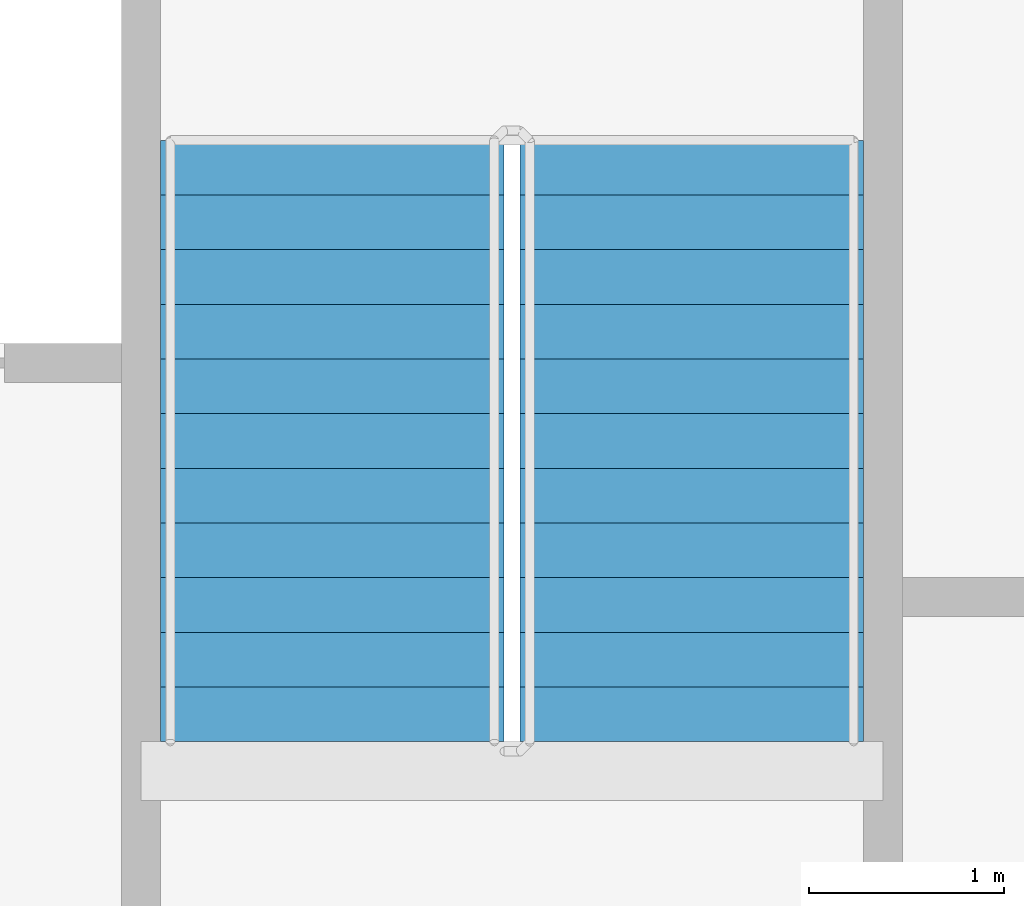
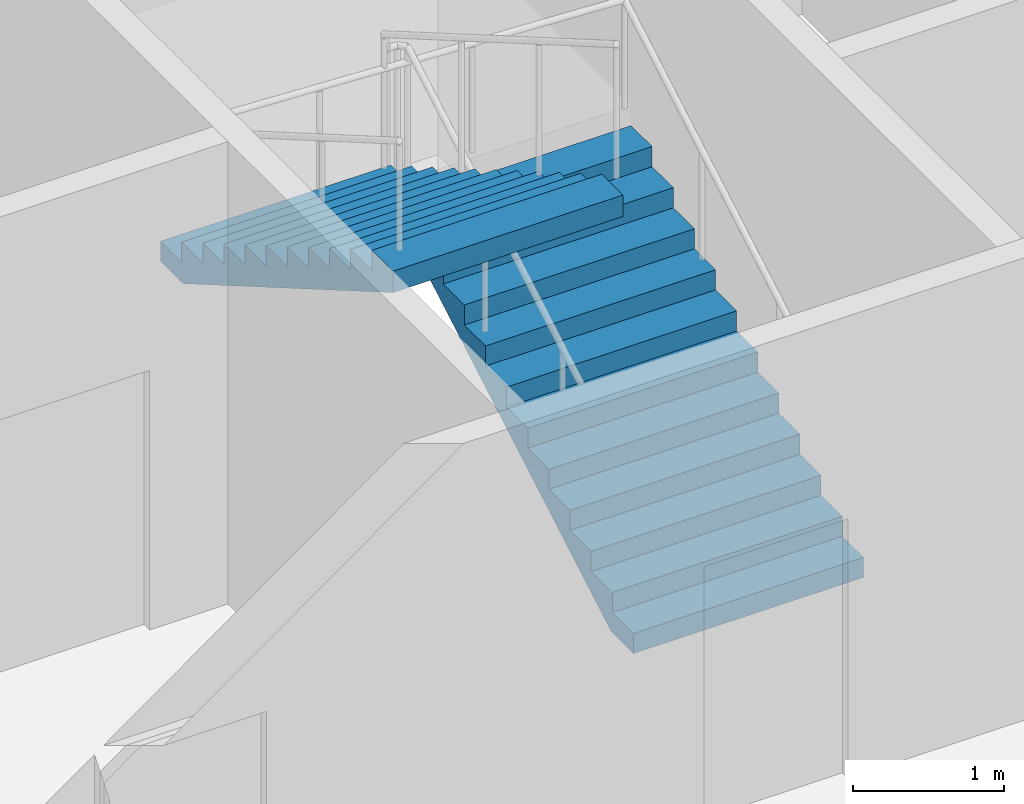
# One storey, part 15 of 21: 2 stair flights, 1 element without a shape of its own.
"""IFC4 building model written with IfcOpenShell, lengths in metres."""

from ifc_helpers import new_model, si_unit, direction, frame, origin, place, context, subcontext, project, spatial, faceted_brep, material, type_object, element, aggregate, save


model = new_model("IFC4")

# Units and contexts
model_context = context("Model", 3, precision=1e-05, world=origin(), true_north=direction((0.0, 1.0)))
body_context = subcontext(model_context, "Body", "Model", "MODEL_VIEW")
ifc_project = project(units=[si_unit("LENGTHUNIT", "METRE"), si_unit("AREAUNIT", "SQUARE_METRE"), si_unit("VOLUMEUNIT", "CUBIC_METRE"), si_unit("PLANEANGLEUNIT", "RADIAN"), si_unit("MASSUNIT", "GRAM", prefix="KILO")], contexts=[model_context])

# Site, building, storey
site_placement = place(None, origin())
site = spatial("IfcSite", under=ifc_project, at=site_placement, CompositionType="ELEMENT")
building_placement = place(site_placement, origin())
building = spatial("IfcBuilding", under=site, at=building_placement, Name="Tarsis Ring Headquarters", CompositionType="ELEMENT")
storey_placement = place(building_placement, frame((0.0, 0.0, 100.60009765625)))
storey = spatial("IfcBuildingStorey", under=building, at=storey_placement, Name="L22", CompositionType="ELEMENT", Elevation=100.60009765625)

# Stair, stair flights
ifc_material_1 = material(Name="Core stair 1760")
stair_type = type_object("IfcStairType", Name="Core stair 1760", PredefinedType="HALF_TURN_STAIR", material=ifc_material_1)
stair_placement = place(storey_placement, origin())
stair = element("IfcStair", 1, at=stair_placement, inside=storey, type_object=stair_type, Name="L22 Exit stair B", PredefinedType="HALF_TURN_STAIR")
ifc_material_2 = material(Name="Concrete C40/50", Category="concrete")
stair_flight_type = type_object("IfcStairFlightType", Name="Core stair flight 1760", PredefinedType="STRAIGHT", material=ifc_material_2)
stair_flight_1_placement = place(storey_placement, frame((5.419921875, 3.659912109375, 0.0), z_axis=(0.0, 0.0, 1.0), x_axis=(0.0, 1.0, 0.0)))
stair_flight_1 = element("IfcStairFlight", 2, at=stair_flight_1_placement, type_object=stair_flight_type, Name="Stair ST2 flight 1", NumberOfRisers=12, NumberOfTreads=11, PredefinedType="STRAIGHT", RiserHeight=0.1625, TreadLength=0.28, context=body_context, shape_type="Brep", body=[
    faceted_brep([(0.0, 0.8798828125, 0.0), (0.0, 0.8798828125, 0.16259765625), (0.280029296875, 0.8798828125, 0.16259765625), (0.280029296875, 0.8798828125, 0.324951171875), (0.56005859375, 0.8798828125, 0.324951171875), (0.56005859375, 0.8798828125, 0.487548828125), (0.840087890625, 0.8798828125, 0.487548828125), (0.840087890625, 0.8798828125, 0.64990234375), (1.1201171875, 0.8798828125, 0.64990234375), (1.1201171875, 0.8798828125, 0.8125), (1.39990234375, 0.8798828125, 0.8125), (1.39990234375, 0.8798828125, 0.97509765625), (1.679931640625, 0.8798828125, 0.97509765625), (1.679931640625, 0.8798828125, 1.137451171875), (1.9599609375, 0.8798828125, 1.137451171875), (1.9599609375, 0.8798828125, 1.300048828125), (2.239990234375, 0.8798828125, 1.300048828125), (2.239990234375, 0.8798828125, 1.46240234375), (2.52001953125, 0.8798828125, 1.46240234375), (2.52001953125, 0.8798828125, 1.625), (2.800048828125, 0.8798828125, 1.625), (2.800048828125, 0.8798828125, 1.78759765625), (3.080078125, 0.8798828125, 1.78759765625), (3.080078125, 0.8798828125, 1.6142578125), (0.298583984375, 0.8798828125, 0.0), (0.298583984375, -0.8798828125, 0.0), (3.080078125, -0.8798828125, 1.6142578125), (3.080078125, -0.8798828125, 1.78759765625), (2.800048828125, -0.8798828125, 1.78759765625), (2.800048828125, -0.8798828125, 1.625), (2.52001953125, -0.8798828125, 1.625), (2.52001953125, -0.8798828125, 1.46240234375), (2.239990234375, -0.8798828125, 1.46240234375), (2.239990234375, -0.8798828125, 1.300048828125), (1.9599609375, -0.8798828125, 1.300048828125), (1.9599609375, -0.8798828125, 1.137451171875), (1.679931640625, -0.8798828125, 1.137451171875), (1.679931640625, -0.8798828125, 0.97509765625), (1.39990234375, -0.8798828125, 0.97509765625), (1.39990234375, -0.8798828125, 0.8125), (1.1201171875, -0.8798828125, 0.8125), (1.1201171875, -0.8798828125, 0.64990234375), (0.840087890625, -0.8798828125, 0.64990234375), (0.840087890625, -0.8798828125, 0.487548828125), (0.56005859375, -0.8798828125, 0.487548828125), (0.56005859375, -0.8798828125, 0.324951171875), (0.280029296875, -0.8798828125, 0.324951171875), (0.280029296875, -0.8798828125, 0.16259765625), (0.0, -0.8798828125, 0.16259765625), (0.0, -0.8798828125, 0.0), (0.0, -0.43994140625, 0.16259765625), (0.0, -0.43994140625, 0.0), (0.0, 0.0, 0.16259765625), (0.0, 0.0, 0.0), (0.0, 0.43994140625, 0.16259765625), (0.0, 0.43994140625, 0.0), (0.280029296875, -0.43994140625, 0.16259765625), (0.280029296875, 0.0, 0.16259765625), (0.280029296875, 0.43994140625, 0.16259765625), (0.280029296875, -0.43994140625, 0.324951171875), (0.280029296875, 0.0, 0.324951171875), (0.280029296875, 0.43994140625, 0.324951171875), (0.56005859375, -0.43994140625, 0.324951171875), (0.56005859375, 0.0, 0.324951171875), (0.56005859375, 0.43994140625, 0.324951171875), (0.56005859375, -0.43994140625, 0.487548828125), (0.56005859375, 0.0, 0.487548828125), (0.56005859375, 0.43994140625, 0.487548828125), (0.840087890625, -0.43994140625, 0.487548828125), (0.840087890625, 0.0, 0.487548828125), (0.840087890625, 0.43994140625, 0.487548828125), (0.840087890625, -0.43994140625, 0.64990234375), (0.840087890625, 0.0, 0.64990234375), (0.840087890625, 0.43994140625, 0.64990234375), (1.1201171875, -0.43994140625, 0.64990234375), (1.1201171875, 0.0, 0.64990234375), (1.1201171875, 0.43994140625, 0.64990234375), (1.1201171875, -0.43994140625, 0.8125), (1.1201171875, 0.0, 0.8125), (1.1201171875, 0.43994140625, 0.8125), (1.39990234375, -0.43994140625, 0.8125), (1.39990234375, 0.0, 0.8125), (1.39990234375, 0.43994140625, 0.8125), (1.39990234375, -0.43994140625, 0.97509765625), (1.39990234375, 0.0, 0.97509765625), (1.39990234375, 0.43994140625, 0.97509765625), (1.679931640625, -0.43994140625, 0.97509765625), (1.679931640625, 0.0, 0.97509765625), (1.679931640625, 0.43994140625, 0.97509765625), (1.679931640625, -0.43994140625, 1.137451171875), (1.679931640625, 0.0, 1.137451171875), (1.679931640625, 0.43994140625, 1.137451171875), (1.9599609375, -0.43994140625, 1.137451171875), (1.9599609375, 0.0, 1.137451171875), (1.9599609375, 0.43994140625, 1.137451171875), (1.9599609375, -0.43994140625, 1.300048828125), (1.9599609375, 0.0, 1.300048828125), (1.9599609375, 0.43994140625, 1.300048828125), (2.239990234375, -0.43994140625, 1.300048828125), (2.239990234375, 0.0, 1.300048828125), (2.239990234375, 0.43994140625, 1.300048828125), (2.239990234375, -0.43994140625, 1.46240234375), (2.239990234375, 0.0, 1.46240234375), (2.239990234375, 0.43994140625, 1.46240234375), (2.52001953125, -0.43994140625, 1.46240234375), (2.52001953125, 0.0, 1.46240234375), (2.52001953125, 0.43994140625, 1.46240234375), (2.52001953125, -0.43994140625, 1.625), (2.52001953125, 0.0, 1.625), (2.52001953125, 0.43994140625, 1.625), (2.800048828125, -0.43994140625, 1.625), (2.800048828125, 0.0, 1.625), (2.800048828125, 0.43994140625, 1.625), (2.800048828125, -0.43994140625, 1.78759765625), (2.800048828125, 0.0, 1.78759765625), (2.800048828125, 0.43994140625, 1.78759765625), (3.080078125, -0.43994140625, 1.78759765625), (3.080078125, 0.0, 1.78759765625), (3.080078125, 0.43994140625, 1.78759765625), (3.080078125, -0.43994140625, 1.6142578125), (3.080078125, 0.0, 1.6142578125), (3.080078125, 0.43994140625, 1.6142578125), (0.298583984375, -0.43994140625, 0.0), (0.298583984375, 0.0, 0.0), (0.298583984375, 0.43994140625, 0.0)], [[[0, 1, 2, 3, 4, 5, 6, 7, 8, 9, 10, 11, 12, 13, 14, 15, 16, 17, 18, 19, 20, 21, 22, 23, 24]], [[25, 26, 27, 28, 29, 30, 31, 32, 33, 34, 35, 36, 37, 38, 39, 40, 41, 42, 43, 44, 45, 46, 47, 48, 49]], [[49, 48, 50, 51]], [[51, 50, 52, 53]], [[53, 52, 54, 55]], [[55, 54, 1, 0]], [[48, 47, 56, 50]], [[50, 56, 57, 52]], [[52, 57, 58, 54]], [[54, 58, 2, 1]], [[47, 46, 59, 56]], [[56, 59, 60, 57]], [[57, 60, 61, 58]], [[58, 61, 3, 2]], [[46, 45, 62, 59]], [[59, 62, 63, 60]], [[60, 63, 64, 61]], [[61, 64, 4, 3]], [[45, 44, 65, 62]], [[62, 65, 66, 63]], [[63, 66, 67, 64]], [[64, 67, 5, 4]], [[44, 43, 68, 65]], [[65, 68, 69, 66]], [[66, 69, 70, 67]], [[67, 70, 6, 5]], [[43, 42, 71, 68]], [[68, 71, 72, 69]], [[69, 72, 73, 70]], [[70, 73, 7, 6]], [[42, 41, 74, 71]], [[71, 74, 75, 72]], [[72, 75, 76, 73]], [[73, 76, 8, 7]], [[41, 40, 77, 74]], [[74, 77, 78, 75]], [[75, 78, 79, 76]], [[76, 79, 9, 8]], [[40, 39, 80, 77]], [[77, 80, 81, 78]], [[78, 81, 82, 79]], [[79, 82, 10, 9]], [[39, 38, 83, 80]], [[80, 83, 84, 81]], [[81, 84, 85, 82]], [[82, 85, 11, 10]], [[38, 37, 86, 83]], [[83, 86, 87, 84]], [[84, 87, 88, 85]], [[85, 88, 12, 11]], [[37, 36, 89, 86]], [[86, 89, 90, 87]], [[87, 90, 91, 88]], [[88, 91, 13, 12]], [[36, 35, 92, 89]], [[89, 92, 93, 90]], [[90, 93, 94, 91]], [[91, 94, 14, 13]], [[35, 34, 95, 92]], [[92, 95, 96, 93]], [[93, 96, 97, 94]], [[94, 97, 15, 14]], [[34, 33, 98, 95]], [[95, 98, 99, 96]], [[96, 99, 100, 97]], [[97, 100, 16, 15]], [[33, 32, 101, 98]], [[98, 101, 102, 99]], [[99, 102, 103, 100]], [[100, 103, 17, 16]], [[32, 31, 104, 101]], [[101, 104, 105, 102]], [[102, 105, 106, 103]], [[103, 106, 18, 17]], [[31, 30, 107, 104]], [[104, 107, 108, 105]], [[105, 108, 109, 106]], [[106, 109, 19, 18]], [[30, 29, 110, 107]], [[107, 110, 111, 108]], [[108, 111, 112, 109]], [[109, 112, 20, 19]], [[29, 28, 113, 110]], [[110, 113, 114, 111]], [[111, 114, 115, 112]], [[112, 115, 21, 20]], [[28, 27, 116, 113]], [[113, 116, 117, 114]], [[114, 117, 118, 115]], [[115, 118, 22, 21]], [[27, 26, 119, 116]], [[116, 119, 120, 117]], [[117, 120, 121, 118]], [[118, 121, 23, 22]], [[26, 25, 122, 119]], [[119, 122, 123, 120]], [[120, 123, 124, 121]], [[121, 124, 24, 23]], [[25, 49, 51, 122]], [[122, 51, 53, 123]], [[123, 53, 55, 124]], [[124, 55, 0, 24]]]),
])
stair_flight_2_placement = place(storey_placement, frame((3.580078125, 6.739990234375, 1.949951171875), z_axis=(0.0, 0.0, 1.0), x_axis=(0.0, -1.0, 0.0)))
stair_flight_2 = element("IfcStairFlight", 3, at=stair_flight_2_placement, type_object=stair_flight_type, Name="Stair ST2 flight 2", NumberOfRisers=12, NumberOfTreads=11, PredefinedType="STRAIGHT", RiserHeight=0.1625, TreadLength=0.28, context=body_context, shape_type="Brep", body=[
    faceted_brep([(0.0, 0.8798828125, 0.0), (0.0, 0.8798828125, 0.16259765625), (0.280029296875, 0.8798828125, 0.16259765625), (0.280029296875, 0.8798828125, 0.324951171875), (0.56005859375, 0.8798828125, 0.324951171875), (0.56005859375, 0.8798828125, 0.487548828125), (0.840087890625, 0.8798828125, 0.487548828125), (0.840087890625, 0.8798828125, 0.64990234375), (1.1201171875, 0.8798828125, 0.64990234375), (1.1201171875, 0.8798828125, 0.8125), (1.39990234375, 0.8798828125, 0.8125), (1.39990234375, 0.8798828125, 0.97509765625), (1.679931640625, 0.8798828125, 0.97509765625), (1.679931640625, 0.8798828125, 1.137451171875), (1.9599609375, 0.8798828125, 1.137451171875), (1.9599609375, 0.8798828125, 1.300048828125), (2.239990234375, 0.8798828125, 1.300048828125), (2.239990234375, 0.8798828125, 1.46240234375), (2.52001953125, 0.8798828125, 1.46240234375), (2.52001953125, 0.8798828125, 1.625), (2.800048828125, 0.8798828125, 1.625), (2.800048828125, 0.8798828125, 1.78759765625), (3.080078125, 0.8798828125, 1.78759765625), (3.080078125, 0.8798828125, 1.6142578125), (0.298583984375, 0.8798828125, 0.0), (0.298583984375, -0.8798828125, 0.0), (3.080078125, -0.8798828125, 1.6142578125), (3.080078125, -0.8798828125, 1.78759765625), (2.800048828125, -0.8798828125, 1.78759765625), (2.800048828125, -0.8798828125, 1.625), (2.52001953125, -0.8798828125, 1.625), (2.52001953125, -0.8798828125, 1.46240234375), (2.239990234375, -0.8798828125, 1.46240234375), (2.239990234375, -0.8798828125, 1.300048828125), (1.9599609375, -0.8798828125, 1.300048828125), (1.9599609375, -0.8798828125, 1.137451171875), (1.679931640625, -0.8798828125, 1.137451171875), (1.679931640625, -0.8798828125, 0.97509765625), (1.39990234375, -0.8798828125, 0.97509765625), (1.39990234375, -0.8798828125, 0.8125), (1.1201171875, -0.8798828125, 0.8125), (1.1201171875, -0.8798828125, 0.64990234375), (0.840087890625, -0.8798828125, 0.64990234375), (0.840087890625, -0.8798828125, 0.487548828125), (0.56005859375, -0.8798828125, 0.487548828125), (0.56005859375, -0.8798828125, 0.324951171875), (0.280029296875, -0.8798828125, 0.324951171875), (0.280029296875, -0.8798828125, 0.16259765625), (0.0, -0.8798828125, 0.16259765625), (0.0, -0.8798828125, 0.0), (0.0, -0.43994140625, 0.16259765625), (0.0, -0.43994140625, 0.0), (0.0, 0.0, 0.16259765625), (0.0, 0.0, 0.0), (0.0, 0.43994140625, 0.16259765625), (0.0, 0.43994140625, 0.0), (0.280029296875, -0.43994140625, 0.16259765625), (0.280029296875, 0.0, 0.16259765625), (0.280029296875, 0.43994140625, 0.16259765625), (0.280029296875, -0.43994140625, 0.324951171875), (0.280029296875, 0.0, 0.324951171875), (0.280029296875, 0.43994140625, 0.324951171875), (0.56005859375, -0.43994140625, 0.324951171875), (0.56005859375, 0.0, 0.324951171875), (0.56005859375, 0.43994140625, 0.324951171875), (0.56005859375, -0.43994140625, 0.487548828125), (0.56005859375, 0.0, 0.487548828125), (0.56005859375, 0.43994140625, 0.487548828125), (0.840087890625, -0.43994140625, 0.487548828125), (0.840087890625, 0.0, 0.487548828125), (0.840087890625, 0.43994140625, 0.487548828125), (0.840087890625, -0.43994140625, 0.64990234375), (0.840087890625, 0.0, 0.64990234375), (0.840087890625, 0.43994140625, 0.64990234375), (1.1201171875, -0.43994140625, 0.64990234375), (1.1201171875, 0.0, 0.64990234375), (1.1201171875, 0.43994140625, 0.64990234375), (1.1201171875, -0.43994140625, 0.8125), (1.1201171875, 0.0, 0.8125), (1.1201171875, 0.43994140625, 0.8125), (1.39990234375, -0.43994140625, 0.8125), (1.39990234375, 0.0, 0.8125), (1.39990234375, 0.43994140625, 0.8125), (1.39990234375, -0.43994140625, 0.97509765625), (1.39990234375, 0.0, 0.97509765625), (1.39990234375, 0.43994140625, 0.97509765625), (1.679931640625, -0.43994140625, 0.97509765625), (1.679931640625, 0.0, 0.97509765625), (1.679931640625, 0.43994140625, 0.97509765625), (1.679931640625, -0.43994140625, 1.137451171875), (1.679931640625, 0.0, 1.137451171875), (1.679931640625, 0.43994140625, 1.137451171875), (1.9599609375, -0.43994140625, 1.137451171875), (1.9599609375, 0.0, 1.137451171875), (1.9599609375, 0.43994140625, 1.137451171875), (1.9599609375, -0.43994140625, 1.300048828125), (1.9599609375, 0.0, 1.300048828125), (1.9599609375, 0.43994140625, 1.300048828125), (2.239990234375, -0.43994140625, 1.300048828125), (2.239990234375, 0.0, 1.300048828125), (2.239990234375, 0.43994140625, 1.300048828125), (2.239990234375, -0.43994140625, 1.46240234375), (2.239990234375, 0.0, 1.46240234375), (2.239990234375, 0.43994140625, 1.46240234375), (2.52001953125, -0.43994140625, 1.46240234375), (2.52001953125, 0.0, 1.46240234375), (2.52001953125, 0.43994140625, 1.46240234375), (2.52001953125, -0.43994140625, 1.625), (2.52001953125, 0.0, 1.625), (2.52001953125, 0.43994140625, 1.625), (2.800048828125, -0.43994140625, 1.625), (2.800048828125, 0.0, 1.625), (2.800048828125, 0.43994140625, 1.625), (2.800048828125, -0.43994140625, 1.78759765625), (2.800048828125, 0.0, 1.78759765625), (2.800048828125, 0.43994140625, 1.78759765625), (3.080078125, -0.43994140625, 1.78759765625), (3.080078125, 0.0, 1.78759765625), (3.080078125, 0.43994140625, 1.78759765625), (3.080078125, -0.43994140625, 1.6142578125), (3.080078125, 0.0, 1.6142578125), (3.080078125, 0.43994140625, 1.6142578125), (0.298583984375, -0.43994140625, 0.0), (0.298583984375, 0.0, 0.0), (0.298583984375, 0.43994140625, 0.0)], [[[0, 1, 2, 3, 4, 5, 6, 7, 8, 9, 10, 11, 12, 13, 14, 15, 16, 17, 18, 19, 20, 21, 22, 23, 24]], [[25, 26, 27, 28, 29, 30, 31, 32, 33, 34, 35, 36, 37, 38, 39, 40, 41, 42, 43, 44, 45, 46, 47, 48, 49]], [[49, 48, 50, 51]], [[51, 50, 52, 53]], [[53, 52, 54, 55]], [[55, 54, 1, 0]], [[48, 47, 56, 50]], [[50, 56, 57, 52]], [[52, 57, 58, 54]], [[54, 58, 2, 1]], [[47, 46, 59, 56]], [[56, 59, 60, 57]], [[57, 60, 61, 58]], [[58, 61, 3, 2]], [[46, 45, 62, 59]], [[59, 62, 63, 60]], [[60, 63, 64, 61]], [[61, 64, 4, 3]], [[45, 44, 65, 62]], [[62, 65, 66, 63]], [[63, 66, 67, 64]], [[64, 67, 5, 4]], [[44, 43, 68, 65]], [[65, 68, 69, 66]], [[66, 69, 70, 67]], [[67, 70, 6, 5]], [[43, 42, 71, 68]], [[68, 71, 72, 69]], [[69, 72, 73, 70]], [[70, 73, 7, 6]], [[42, 41, 74, 71]], [[71, 74, 75, 72]], [[72, 75, 76, 73]], [[73, 76, 8, 7]], [[41, 40, 77, 74]], [[74, 77, 78, 75]], [[75, 78, 79, 76]], [[76, 79, 9, 8]], [[40, 39, 80, 77]], [[77, 80, 81, 78]], [[78, 81, 82, 79]], [[79, 82, 10, 9]], [[39, 38, 83, 80]], [[80, 83, 84, 81]], [[81, 84, 85, 82]], [[82, 85, 11, 10]], [[38, 37, 86, 83]], [[83, 86, 87, 84]], [[84, 87, 88, 85]], [[85, 88, 12, 11]], [[37, 36, 89, 86]], [[86, 89, 90, 87]], [[87, 90, 91, 88]], [[88, 91, 13, 12]], [[36, 35, 92, 89]], [[89, 92, 93, 90]], [[90, 93, 94, 91]], [[91, 94, 14, 13]], [[35, 34, 95, 92]], [[92, 95, 96, 93]], [[93, 96, 97, 94]], [[94, 97, 15, 14]], [[34, 33, 98, 95]], [[95, 98, 99, 96]], [[96, 99, 100, 97]], [[97, 100, 16, 15]], [[33, 32, 101, 98]], [[98, 101, 102, 99]], [[99, 102, 103, 100]], [[100, 103, 17, 16]], [[32, 31, 104, 101]], [[101, 104, 105, 102]], [[102, 105, 106, 103]], [[103, 106, 18, 17]], [[31, 30, 107, 104]], [[104, 107, 108, 105]], [[105, 108, 109, 106]], [[106, 109, 19, 18]], [[30, 29, 110, 107]], [[107, 110, 111, 108]], [[108, 111, 112, 109]], [[109, 112, 20, 19]], [[29, 28, 113, 110]], [[110, 113, 114, 111]], [[111, 114, 115, 112]], [[112, 115, 21, 20]], [[28, 27, 116, 113]], [[113, 116, 117, 114]], [[114, 117, 118, 115]], [[115, 118, 22, 21]], [[27, 26, 119, 116]], [[116, 119, 120, 117]], [[117, 120, 121, 118]], [[118, 121, 23, 22]], [[26, 25, 122, 119]], [[119, 122, 123, 120]], [[120, 123, 124, 121]], [[121, 124, 24, 23]], [[25, 49, 51, 122]], [[122, 51, 53, 123]], [[123, 53, 55, 124]], [[124, 55, 0, 24]]]),
])
aggregate(stair, [stair_flight_1, stair_flight_2])

save(model, "model.ifc")
